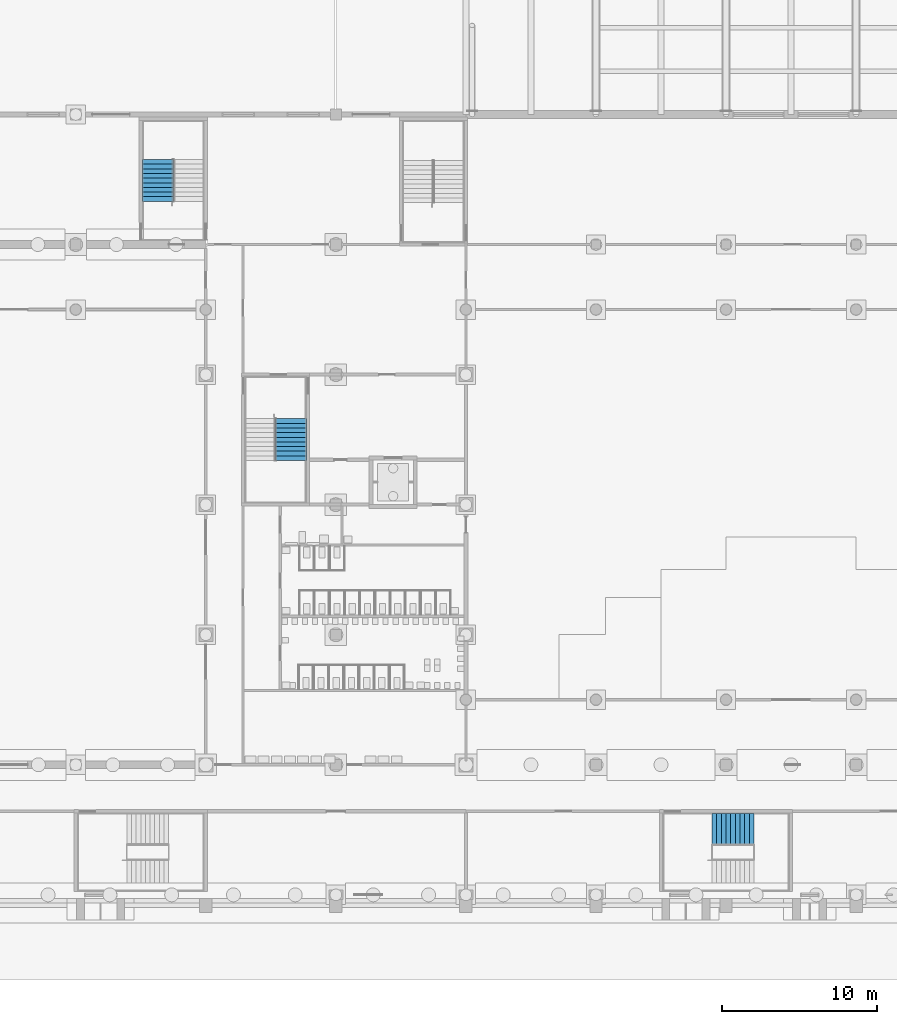
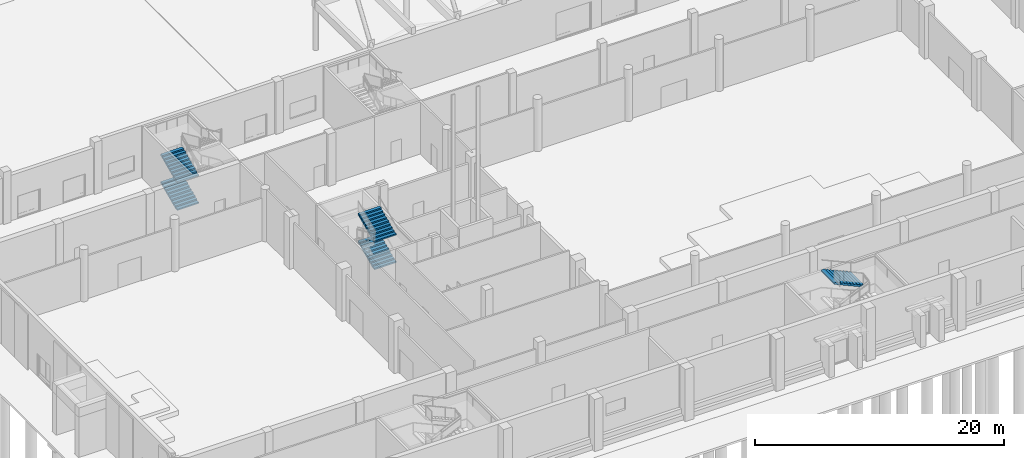
# One storey, part 51 of 74: 5 stair flights, 3 elements without a shape of their own.
"""IFC4 building model written with IfcOpenShell, lengths in metres."""

from ifc_helpers import new_model, si_unit, direction, frame, origin, place, context, subcontext, project, spatial, faceted_brep, material, type_object, element, aggregate, save


model = new_model("IFC4")

# Units and contexts
model_context = context("Model", 3, precision=1e-05, world=origin(), true_north=direction((0.0, 1.0)))
body_context = subcontext(model_context, "Body", "Model", "MODEL_VIEW")
ifc_project = project(units=[si_unit("LENGTHUNIT", "METRE"), si_unit("AREAUNIT", "SQUARE_METRE"), si_unit("VOLUMEUNIT", "CUBIC_METRE"), si_unit("PLANEANGLEUNIT", "RADIAN"), si_unit("MASSUNIT", "GRAM", prefix="KILO")], contexts=[model_context])

# Site, building, storey
site_placement = place(None, origin())
site = spatial("IfcSite", under=ifc_project, at=site_placement, CompositionType="ELEMENT")
building_placement = place(site_placement, origin())
building = spatial("IfcBuilding", under=site, at=building_placement, Name="Rulbaag Community and Learning Centre", CompositionType="ELEMENT")
storey_placement = place(building_placement, origin())
storey = spatial("IfcBuildingStorey", under=building, at=storey_placement, Name="L00", CompositionType="ELEMENT", Elevation=0.0)

# Stair, stair flights
ifc_material = material(Name="Concrete M40", Category="concrete")
stair_type_1 = type_object("IfcStairType", Name="ST-2000 STAIR 2000 WIDE", PredefinedType="HALF_TURN_STAIR", material=ifc_material)
stair_1_placement = place(storey_placement, origin())
stair_1 = element("IfcStair", 1, at=stair_1_placement, inside=storey, type_object=stair_type_1, Name="Stair ST-H0 L00", PredefinedType="HALF_TURN_STAIR")
stair_flight_type_1 = type_object("IfcStairFlightType", Name="FL-2000 FLIGHT 2000 WIDE Concrete M40", PredefinedType="STRAIGHT", material=ifc_material)
stair_flight_1_placement = place(storey_placement, frame((22.10009765625, 44.78759765625, 0.0), z_axis=(0.0, 0.0, 1.0), x_axis=(0.0, 1.0, 0.0)))
stair_flight_1 = element("IfcStairFlight", 2, at=stair_flight_1_placement, type_object=stair_flight_type_1, Name="ST-H0 flight 1", NumberOfRisers=10, NumberOfTreads=9, PredefinedType="STRAIGHT", RiserHeight=0.135, TreadLength=0.3, context=body_context, shape_type="Brep", body=[
    faceted_brep([(0.3408203125, -1.0, 0.0), (2.699951171875, -1.0, 1.0615234375), (2.699951171875, -1.0, 1.215087890625), (2.39990234375, -1.0, 1.215087890625), (2.39990234375, -1.0, 1.080078125), (2.10009765625, -1.0, 1.080078125), (2.10009765625, -1.0, 0.945068359375), (1.800048828125, -1.0, 0.945068359375), (1.800048828125, -1.0, 0.81005859375), (1.5, -1.0, 0.81005859375), (1.5, -1.0, 0.675048828125), (1.199951171875, -1.0, 0.675048828125), (1.199951171875, -1.0, 0.5400390625), (0.89990234375, -1.0, 0.5400390625), (0.89990234375, -1.0, 0.405029296875), (0.60009765625, -1.0, 0.405029296875), (0.60009765625, -1.0, 0.27001953125), (0.300048828125, -1.0, 0.27001953125), (0.300048828125, -1.0, 0.135009765625), (0.0, -1.0, 0.135009765625), (0.0, -1.0, 0.0), (0.0, 1.0, 0.0), (0.0, 1.0, 0.135009765625), (0.300048828125, 1.0, 0.135009765625), (0.300048828125, 1.0, 0.27001953125), (0.60009765625, 1.0, 0.27001953125), (0.60009765625, 1.0, 0.405029296875), (0.89990234375, 1.0, 0.405029296875), (0.89990234375, 1.0, 0.5400390625), (1.199951171875, 1.0, 0.5400390625), (1.199951171875, 1.0, 0.675048828125), (1.5, 1.0, 0.675048828125), (1.5, 1.0, 0.81005859375), (1.800048828125, 1.0, 0.81005859375), (1.800048828125, 1.0, 0.945068359375), (2.10009765625, 1.0, 0.945068359375), (2.10009765625, 1.0, 1.080078125), (2.39990234375, 1.0, 1.080078125), (2.39990234375, 1.0, 1.215087890625), (2.699951171875, 1.0, 1.215087890625), (2.699951171875, 1.0, 1.0615234375), (0.3408203125, 1.0, 0.0), (0.0, -0.333251953125, 0.135009765625), (0.0, -0.333251953125, 0.0), (0.0, 0.333251953125, 0.135009765625), (0.0, 0.333251953125, 0.0), (0.300048828125, -0.333251953125, 0.135009765625), (0.300048828125, 0.333251953125, 0.135009765625), (0.300048828125, -0.333251953125, 0.27001953125), (0.300048828125, 0.333251953125, 0.27001953125), (0.60009765625, -0.333251953125, 0.27001953125), (0.60009765625, 0.333251953125, 0.27001953125), (0.60009765625, -0.333251953125, 0.405029296875), (0.60009765625, 0.333251953125, 0.405029296875), (0.89990234375, -0.333251953125, 0.405029296875), (0.89990234375, 0.333251953125, 0.405029296875), (0.89990234375, -0.333251953125, 0.5400390625), (0.89990234375, 0.333251953125, 0.5400390625), (1.199951171875, -0.333251953125, 0.5400390625), (1.199951171875, 0.333251953125, 0.5400390625), (1.199951171875, -0.333251953125, 0.675048828125), (1.199951171875, 0.333251953125, 0.675048828125), (1.5, -0.333251953125, 0.675048828125), (1.5, 0.333251953125, 0.675048828125), (1.5, -0.333251953125, 0.81005859375), (1.5, 0.333251953125, 0.81005859375), (1.800048828125, -0.333251953125, 0.81005859375), (1.800048828125, 0.333251953125, 0.81005859375), (1.800048828125, -0.333251953125, 0.945068359375), (1.800048828125, 0.333251953125, 0.945068359375), (2.10009765625, -0.333251953125, 0.945068359375), (2.10009765625, 0.333251953125, 0.945068359375), (2.10009765625, -0.333251953125, 1.080078125), (2.10009765625, 0.333251953125, 1.080078125), (2.39990234375, -0.333251953125, 1.080078125), (2.39990234375, 0.333251953125, 1.080078125), (2.39990234375, -0.333251953125, 1.215087890625), (2.39990234375, 0.333251953125, 1.215087890625), (2.699951171875, -0.333251953125, 1.215087890625), (2.699951171875, 0.333251953125, 1.215087890625), (2.699951171875, -0.333251953125, 1.0615234375), (2.699951171875, 0.333251953125, 1.0615234375), (0.3408203125, -0.333251953125, 0.0), (0.3408203125, 0.333251953125, 0.0)], [[[0, 1, 2, 3, 4, 5, 6, 7, 8, 9, 10, 11, 12, 13, 14, 15, 16, 17, 18, 19, 20]], [[21, 22, 23, 24, 25, 26, 27, 28, 29, 30, 31, 32, 33, 34, 35, 36, 37, 38, 39, 40, 41]], [[20, 19, 42, 43]], [[43, 42, 44, 45]], [[45, 44, 22, 21]], [[19, 18, 46, 42]], [[42, 46, 47, 44]], [[44, 47, 23, 22]], [[18, 17, 48, 46]], [[46, 48, 49, 47]], [[47, 49, 24, 23]], [[17, 16, 50, 48]], [[48, 50, 51, 49]], [[49, 51, 25, 24]], [[16, 15, 52, 50]], [[50, 52, 53, 51]], [[51, 53, 26, 25]], [[15, 14, 54, 52]], [[52, 54, 55, 53]], [[53, 55, 27, 26]], [[14, 13, 56, 54]], [[54, 56, 57, 55]], [[55, 57, 28, 27]], [[13, 12, 58, 56]], [[56, 58, 59, 57]], [[57, 59, 29, 28]], [[12, 11, 60, 58]], [[58, 60, 61, 59]], [[59, 61, 30, 29]], [[11, 10, 62, 60]], [[60, 62, 63, 61]], [[61, 63, 31, 30]], [[10, 9, 64, 62]], [[62, 64, 65, 63]], [[63, 65, 32, 31]], [[9, 8, 66, 64]], [[64, 66, 67, 65]], [[65, 67, 33, 32]], [[8, 7, 68, 66]], [[66, 68, 69, 67]], [[67, 69, 34, 33]], [[7, 6, 70, 68]], [[68, 70, 71, 69]], [[69, 71, 35, 34]], [[6, 5, 72, 70]], [[70, 72, 73, 71]], [[71, 73, 36, 35]], [[5, 4, 74, 72]], [[72, 74, 75, 73]], [[73, 75, 37, 36]], [[4, 3, 76, 74]], [[74, 76, 77, 75]], [[75, 77, 38, 37]], [[3, 2, 78, 76]], [[76, 78, 79, 77]], [[77, 79, 39, 38]], [[2, 1, 80, 78]], [[78, 80, 81, 79]], [[79, 81, 40, 39]], [[1, 0, 82, 80]], [[80, 82, 83, 81]], [[81, 83, 41, 40]], [[0, 20, 43, 82]], [[82, 43, 45, 83]], [[83, 45, 21, 41]]]),
])
stair_flight_2_placement = place(storey_placement, frame((22.10009765625, 44.78759765625, 2.699951171875), z_axis=(0.0, 0.0, 1.0), x_axis=(0.0, 1.0, 0.0)))
stair_flight_2 = element("IfcStairFlight", 3, at=stair_flight_2_placement, type_object=stair_flight_type_1, Name="ST-H0 flight 3", NumberOfRisers=10, NumberOfTreads=9, PredefinedType="STRAIGHT", RiserHeight=0.135, TreadLength=0.3, context=body_context, shape_type="Brep", body=[
    faceted_brep([(0.3408203125, -1.0, 0.0), (2.699951171875, -1.0, 1.0615234375), (2.699951171875, -1.0, 1.215087890625), (2.39990234375, -1.0, 1.215087890625), (2.39990234375, -1.0, 1.080078125), (2.10009765625, -1.0, 1.080078125), (2.10009765625, -1.0, 0.945068359375), (1.800048828125, -1.0, 0.945068359375), (1.800048828125, -1.0, 0.81005859375), (1.5, -1.0, 0.81005859375), (1.5, -1.0, 0.675048828125), (1.199951171875, -1.0, 0.675048828125), (1.199951171875, -1.0, 0.5400390625), (0.89990234375, -1.0, 0.5400390625), (0.89990234375, -1.0, 0.405029296875), (0.60009765625, -1.0, 0.405029296875), (0.60009765625, -1.0, 0.27001953125), (0.300048828125, -1.0, 0.27001953125), (0.300048828125, -1.0, 0.135009765625), (0.0, -1.0, 0.135009765625), (0.0, -1.0, 0.0), (0.0, 1.0, 0.0), (0.0, 1.0, 0.135009765625), (0.300048828125, 1.0, 0.135009765625), (0.300048828125, 1.0, 0.27001953125), (0.60009765625, 1.0, 0.27001953125), (0.60009765625, 1.0, 0.405029296875), (0.89990234375, 1.0, 0.405029296875), (0.89990234375, 1.0, 0.5400390625), (1.199951171875, 1.0, 0.5400390625), (1.199951171875, 1.0, 0.675048828125), (1.5, 1.0, 0.675048828125), (1.5, 1.0, 0.81005859375), (1.800048828125, 1.0, 0.81005859375), (1.800048828125, 1.0, 0.945068359375), (2.10009765625, 1.0, 0.945068359375), (2.10009765625, 1.0, 1.080078125), (2.39990234375, 1.0, 1.080078125), (2.39990234375, 1.0, 1.215087890625), (2.699951171875, 1.0, 1.215087890625), (2.699951171875, 1.0, 1.0615234375), (0.3408203125, 1.0, 0.0), (0.0, -0.333251953125, 0.135009765625), (0.0, -0.333251953125, 0.0), (0.0, 0.333251953125, 0.135009765625), (0.0, 0.333251953125, 0.0), (0.300048828125, -0.333251953125, 0.135009765625), (0.300048828125, 0.333251953125, 0.135009765625), (0.300048828125, -0.333251953125, 0.27001953125), (0.300048828125, 0.333251953125, 0.27001953125), (0.60009765625, -0.333251953125, 0.27001953125), (0.60009765625, 0.333251953125, 0.27001953125), (0.60009765625, -0.333251953125, 0.405029296875), (0.60009765625, 0.333251953125, 0.405029296875), (0.89990234375, -0.333251953125, 0.405029296875), (0.89990234375, 0.333251953125, 0.405029296875), (0.89990234375, -0.333251953125, 0.5400390625), (0.89990234375, 0.333251953125, 0.5400390625), (1.199951171875, -0.333251953125, 0.5400390625), (1.199951171875, 0.333251953125, 0.5400390625), (1.199951171875, -0.333251953125, 0.675048828125), (1.199951171875, 0.333251953125, 0.675048828125), (1.5, -0.333251953125, 0.675048828125), (1.5, 0.333251953125, 0.675048828125), (1.5, -0.333251953125, 0.81005859375), (1.5, 0.333251953125, 0.81005859375), (1.800048828125, -0.333251953125, 0.81005859375), (1.800048828125, 0.333251953125, 0.81005859375), (1.800048828125, -0.333251953125, 0.945068359375), (1.800048828125, 0.333251953125, 0.945068359375), (2.10009765625, -0.333251953125, 0.945068359375), (2.10009765625, 0.333251953125, 0.945068359375), (2.10009765625, -0.333251953125, 1.080078125), (2.10009765625, 0.333251953125, 1.080078125), (2.39990234375, -0.333251953125, 1.080078125), (2.39990234375, 0.333251953125, 1.080078125), (2.39990234375, -0.333251953125, 1.215087890625), (2.39990234375, 0.333251953125, 1.215087890625), (2.699951171875, -0.333251953125, 1.215087890625), (2.699951171875, 0.333251953125, 1.215087890625), (2.699951171875, -0.333251953125, 1.0615234375), (2.699951171875, 0.333251953125, 1.0615234375), (0.3408203125, -0.333251953125, 0.0), (0.3408203125, 0.333251953125, 0.0)], [[[0, 1, 2, 3, 4, 5, 6, 7, 8, 9, 10, 11, 12, 13, 14, 15, 16, 17, 18, 19, 20]], [[21, 22, 23, 24, 25, 26, 27, 28, 29, 30, 31, 32, 33, 34, 35, 36, 37, 38, 39, 40, 41]], [[20, 19, 42, 43]], [[43, 42, 44, 45]], [[45, 44, 22, 21]], [[19, 18, 46, 42]], [[42, 46, 47, 44]], [[44, 47, 23, 22]], [[18, 17, 48, 46]], [[46, 48, 49, 47]], [[47, 49, 24, 23]], [[17, 16, 50, 48]], [[48, 50, 51, 49]], [[49, 51, 25, 24]], [[16, 15, 52, 50]], [[50, 52, 53, 51]], [[51, 53, 26, 25]], [[15, 14, 54, 52]], [[52, 54, 55, 53]], [[53, 55, 27, 26]], [[14, 13, 56, 54]], [[54, 56, 57, 55]], [[55, 57, 28, 27]], [[13, 12, 58, 56]], [[56, 58, 59, 57]], [[57, 59, 29, 28]], [[12, 11, 60, 58]], [[58, 60, 61, 59]], [[59, 61, 30, 29]], [[11, 10, 62, 60]], [[60, 62, 63, 61]], [[61, 63, 31, 30]], [[10, 9, 64, 62]], [[62, 64, 65, 63]], [[63, 65, 32, 31]], [[9, 8, 66, 64]], [[64, 66, 67, 65]], [[65, 67, 33, 32]], [[8, 7, 68, 66]], [[66, 68, 69, 67]], [[67, 69, 34, 33]], [[7, 6, 70, 68]], [[68, 70, 71, 69]], [[69, 71, 35, 34]], [[6, 5, 72, 70]], [[70, 72, 73, 71]], [[71, 73, 36, 35]], [[5, 4, 74, 72]], [[72, 74, 75, 73]], [[73, 75, 37, 36]], [[4, 3, 76, 74]], [[74, 76, 77, 75]], [[75, 77, 38, 37]], [[3, 2, 78, 76]], [[76, 78, 79, 77]], [[77, 79, 39, 38]], [[2, 1, 80, 78]], [[78, 80, 81, 79]], [[79, 81, 40, 39]], [[1, 0, 82, 80]], [[80, 82, 83, 81]], [[81, 83, 41, 40]], [[0, 20, 43, 82]], [[82, 43, 45, 83]], [[83, 45, 21, 41]]]),
])
aggregate(stair_1, [stair_flight_1, stair_flight_2])

stair_2_placement = place(storey_placement, origin())
stair_2 = element("IfcStair", 4, at=stair_2_placement, inside=storey, type_object=stair_type_1, Name="Stair ST-H1 L00", PredefinedType="HALF_TURN_STAIR")
stair_flight_3_placement = place(storey_placement, frame((30.699951171875, 28.050048828125, 1.35009765625), z_axis=(0.0, 0.0, 1.0), x_axis=(0.0, 1.0, 0.0)))
stair_flight_3 = element("IfcStairFlight", 5, at=stair_flight_3_placement, type_object=stair_flight_type_1, Name="ST-H1 flight 2", NumberOfRisers=10, NumberOfTreads=9, PredefinedType="STRAIGHT", RiserHeight=0.135, TreadLength=0.3, context=body_context, shape_type="Brep", body=[
    faceted_brep([(0.3408203125, -1.0, 0.0), (2.699951171875, -1.0, 1.0615234375), (2.699951171875, -1.0, 1.215087890625), (2.39990234375, -1.0, 1.215087890625), (2.39990234375, -1.0, 1.080078125), (2.10009765625, -1.0, 1.080078125), (2.10009765625, -1.0, 0.945068359375), (1.800048828125, -1.0, 0.945068359375), (1.800048828125, -1.0, 0.81005859375), (1.5, -1.0, 0.81005859375), (1.5, -1.0, 0.675048828125), (1.199951171875, -1.0, 0.675048828125), (1.199951171875, -1.0, 0.5400390625), (0.89990234375, -1.0, 0.5400390625), (0.89990234375, -1.0, 0.405029296875), (0.60009765625, -1.0, 0.405029296875), (0.60009765625, -1.0, 0.27001953125), (0.300048828125, -1.0, 0.27001953125), (0.300048828125, -1.0, 0.135009765625), (0.0, -1.0, 0.135009765625), (0.0, -1.0, 0.0), (0.0, 1.0, 0.0), (0.0, 1.0, 0.135009765625), (0.300048828125, 1.0, 0.135009765625), (0.300048828125, 1.0, 0.27001953125), (0.60009765625, 1.0, 0.27001953125), (0.60009765625, 1.0, 0.405029296875), (0.89990234375, 1.0, 0.405029296875), (0.89990234375, 1.0, 0.5400390625), (1.199951171875, 1.0, 0.5400390625), (1.199951171875, 1.0, 0.675048828125), (1.5, 1.0, 0.675048828125), (1.5, 1.0, 0.81005859375), (1.800048828125, 1.0, 0.81005859375), (1.800048828125, 1.0, 0.945068359375), (2.10009765625, 1.0, 0.945068359375), (2.10009765625, 1.0, 1.080078125), (2.39990234375, 1.0, 1.080078125), (2.39990234375, 1.0, 1.215087890625), (2.699951171875, 1.0, 1.215087890625), (2.699951171875, 1.0, 1.0615234375), (0.3408203125, 1.0, 0.0), (0.0, -0.333251953125, 0.135009765625), (0.0, -0.333251953125, 0.0), (0.0, 0.333251953125, 0.135009765625), (0.0, 0.333251953125, 0.0), (0.300048828125, -0.333251953125, 0.135009765625), (0.300048828125, 0.333251953125, 0.135009765625), (0.300048828125, -0.333251953125, 0.27001953125), (0.300048828125, 0.333251953125, 0.27001953125), (0.60009765625, -0.333251953125, 0.27001953125), (0.60009765625, 0.333251953125, 0.27001953125), (0.60009765625, -0.333251953125, 0.405029296875), (0.60009765625, 0.333251953125, 0.405029296875), (0.89990234375, -0.333251953125, 0.405029296875), (0.89990234375, 0.333251953125, 0.405029296875), (0.89990234375, -0.333251953125, 0.5400390625), (0.89990234375, 0.333251953125, 0.5400390625), (1.199951171875, -0.333251953125, 0.5400390625), (1.199951171875, 0.333251953125, 0.5400390625), (1.199951171875, -0.333251953125, 0.675048828125), (1.199951171875, 0.333251953125, 0.675048828125), (1.5, -0.333251953125, 0.675048828125), (1.5, 0.333251953125, 0.675048828125), (1.5, -0.333251953125, 0.81005859375), (1.5, 0.333251953125, 0.81005859375), (1.800048828125, -0.333251953125, 0.81005859375), (1.800048828125, 0.333251953125, 0.81005859375), (1.800048828125, -0.333251953125, 0.945068359375), (1.800048828125, 0.333251953125, 0.945068359375), (2.10009765625, -0.333251953125, 0.945068359375), (2.10009765625, 0.333251953125, 0.945068359375), (2.10009765625, -0.333251953125, 1.080078125), (2.10009765625, 0.333251953125, 1.080078125), (2.39990234375, -0.333251953125, 1.080078125), (2.39990234375, 0.333251953125, 1.080078125), (2.39990234375, -0.333251953125, 1.215087890625), (2.39990234375, 0.333251953125, 1.215087890625), (2.699951171875, -0.333251953125, 1.215087890625), (2.699951171875, 0.333251953125, 1.215087890625), (2.699951171875, -0.333251953125, 1.0615234375), (2.699951171875, 0.333251953125, 1.0615234375), (0.3408203125, -0.333251953125, 0.0), (0.3408203125, 0.333251953125, 0.0)], [[[0, 1, 2, 3, 4, 5, 6, 7, 8, 9, 10, 11, 12, 13, 14, 15, 16, 17, 18, 19, 20]], [[21, 22, 23, 24, 25, 26, 27, 28, 29, 30, 31, 32, 33, 34, 35, 36, 37, 38, 39, 40, 41]], [[20, 19, 42, 43]], [[43, 42, 44, 45]], [[45, 44, 22, 21]], [[19, 18, 46, 42]], [[42, 46, 47, 44]], [[44, 47, 23, 22]], [[18, 17, 48, 46]], [[46, 48, 49, 47]], [[47, 49, 24, 23]], [[17, 16, 50, 48]], [[48, 50, 51, 49]], [[49, 51, 25, 24]], [[16, 15, 52, 50]], [[50, 52, 53, 51]], [[51, 53, 26, 25]], [[15, 14, 54, 52]], [[52, 54, 55, 53]], [[53, 55, 27, 26]], [[14, 13, 56, 54]], [[54, 56, 57, 55]], [[55, 57, 28, 27]], [[13, 12, 58, 56]], [[56, 58, 59, 57]], [[57, 59, 29, 28]], [[12, 11, 60, 58]], [[58, 60, 61, 59]], [[59, 61, 30, 29]], [[11, 10, 62, 60]], [[60, 62, 63, 61]], [[61, 63, 31, 30]], [[10, 9, 64, 62]], [[62, 64, 65, 63]], [[63, 65, 32, 31]], [[9, 8, 66, 64]], [[64, 66, 67, 65]], [[65, 67, 33, 32]], [[8, 7, 68, 66]], [[66, 68, 69, 67]], [[67, 69, 34, 33]], [[7, 6, 70, 68]], [[68, 70, 71, 69]], [[69, 71, 35, 34]], [[6, 5, 72, 70]], [[70, 72, 73, 71]], [[71, 73, 36, 35]], [[5, 4, 74, 72]], [[72, 74, 75, 73]], [[73, 75, 37, 36]], [[4, 3, 76, 74]], [[74, 76, 77, 75]], [[75, 77, 38, 37]], [[3, 2, 78, 76]], [[76, 78, 79, 77]], [[77, 79, 39, 38]], [[2, 1, 80, 78]], [[78, 80, 81, 79]], [[79, 81, 40, 39]], [[1, 0, 82, 80]], [[80, 82, 83, 81]], [[81, 83, 41, 40]], [[0, 20, 43, 82]], [[82, 43, 45, 83]], [[83, 45, 21, 41]]]),
])
stair_flight_4_placement = place(storey_placement, frame((30.699951171875, 28.050048828125, 4.050048828125), z_axis=(0.0, 0.0, 1.0), x_axis=(0.0, 1.0, 0.0)))
stair_flight_4 = element("IfcStairFlight", 6, at=stair_flight_4_placement, type_object=stair_flight_type_1, Name="ST-H1 flight 4", NumberOfRisers=10, NumberOfTreads=9, PredefinedType="STRAIGHT", RiserHeight=0.135, TreadLength=0.3, context=body_context, shape_type="Brep", body=[
    faceted_brep([(0.3408203125, -1.0, 0.0), (2.699951171875, -1.0, 1.0615234375), (2.699951171875, -1.0, 1.215087890625), (2.39990234375, -1.0, 1.215087890625), (2.39990234375, -1.0, 1.080078125), (2.10009765625, -1.0, 1.080078125), (2.10009765625, -1.0, 0.945068359375), (1.800048828125, -1.0, 0.945068359375), (1.800048828125, -1.0, 0.81005859375), (1.5, -1.0, 0.81005859375), (1.5, -1.0, 0.675048828125), (1.199951171875, -1.0, 0.675048828125), (1.199951171875, -1.0, 0.5400390625), (0.89990234375, -1.0, 0.5400390625), (0.89990234375, -1.0, 0.405029296875), (0.60009765625, -1.0, 0.405029296875), (0.60009765625, -1.0, 0.27001953125), (0.300048828125, -1.0, 0.27001953125), (0.300048828125, -1.0, 0.135009765625), (0.0, -1.0, 0.135009765625), (0.0, -1.0, 0.0), (0.0, 1.0, 0.0), (0.0, 1.0, 0.135009765625), (0.300048828125, 1.0, 0.135009765625), (0.300048828125, 1.0, 0.27001953125), (0.60009765625, 1.0, 0.27001953125), (0.60009765625, 1.0, 0.405029296875), (0.89990234375, 1.0, 0.405029296875), (0.89990234375, 1.0, 0.5400390625), (1.199951171875, 1.0, 0.5400390625), (1.199951171875, 1.0, 0.675048828125), (1.5, 1.0, 0.675048828125), (1.5, 1.0, 0.81005859375), (1.800048828125, 1.0, 0.81005859375), (1.800048828125, 1.0, 0.945068359375), (2.10009765625, 1.0, 0.945068359375), (2.10009765625, 1.0, 1.080078125), (2.39990234375, 1.0, 1.080078125), (2.39990234375, 1.0, 1.215087890625), (2.699951171875, 1.0, 1.215087890625), (2.699951171875, 1.0, 1.0615234375), (0.3408203125, 1.0, 0.0), (0.0, -0.333251953125, 0.135009765625), (0.0, -0.333251953125, 0.0), (0.0, 0.333251953125, 0.135009765625), (0.0, 0.333251953125, 0.0), (0.300048828125, -0.333251953125, 0.135009765625), (0.300048828125, 0.333251953125, 0.135009765625), (0.300048828125, -0.333251953125, 0.27001953125), (0.300048828125, 0.333251953125, 0.27001953125), (0.60009765625, -0.333251953125, 0.27001953125), (0.60009765625, 0.333251953125, 0.27001953125), (0.60009765625, -0.333251953125, 0.405029296875), (0.60009765625, 0.333251953125, 0.405029296875), (0.89990234375, -0.333251953125, 0.405029296875), (0.89990234375, 0.333251953125, 0.405029296875), (0.89990234375, -0.333251953125, 0.5400390625), (0.89990234375, 0.333251953125, 0.5400390625), (1.199951171875, -0.333251953125, 0.5400390625), (1.199951171875, 0.333251953125, 0.5400390625), (1.199951171875, -0.333251953125, 0.675048828125), (1.199951171875, 0.333251953125, 0.675048828125), (1.5, -0.333251953125, 0.675048828125), (1.5, 0.333251953125, 0.675048828125), (1.5, -0.333251953125, 0.81005859375), (1.5, 0.333251953125, 0.81005859375), (1.800048828125, -0.333251953125, 0.81005859375), (1.800048828125, 0.333251953125, 0.81005859375), (1.800048828125, -0.333251953125, 0.945068359375), (1.800048828125, 0.333251953125, 0.945068359375), (2.10009765625, -0.333251953125, 0.945068359375), (2.10009765625, 0.333251953125, 0.945068359375), (2.10009765625, -0.333251953125, 1.080078125), (2.10009765625, 0.333251953125, 1.080078125), (2.39990234375, -0.333251953125, 1.080078125), (2.39990234375, 0.333251953125, 1.080078125), (2.39990234375, -0.333251953125, 1.215087890625), (2.39990234375, 0.333251953125, 1.215087890625), (2.699951171875, -0.333251953125, 1.215087890625), (2.699951171875, 0.333251953125, 1.215087890625), (2.699951171875, -0.333251953125, 1.0615234375), (2.699951171875, 0.333251953125, 1.0615234375), (0.3408203125, -0.333251953125, 0.0), (0.3408203125, 0.333251953125, 0.0)], [[[0, 1, 2, 3, 4, 5, 6, 7, 8, 9, 10, 11, 12, 13, 14, 15, 16, 17, 18, 19, 20]], [[21, 22, 23, 24, 25, 26, 27, 28, 29, 30, 31, 32, 33, 34, 35, 36, 37, 38, 39, 40, 41]], [[20, 19, 42, 43]], [[43, 42, 44, 45]], [[45, 44, 22, 21]], [[19, 18, 46, 42]], [[42, 46, 47, 44]], [[44, 47, 23, 22]], [[18, 17, 48, 46]], [[46, 48, 49, 47]], [[47, 49, 24, 23]], [[17, 16, 50, 48]], [[48, 50, 51, 49]], [[49, 51, 25, 24]], [[16, 15, 52, 50]], [[50, 52, 53, 51]], [[51, 53, 26, 25]], [[15, 14, 54, 52]], [[52, 54, 55, 53]], [[53, 55, 27, 26]], [[14, 13, 56, 54]], [[54, 56, 57, 55]], [[55, 57, 28, 27]], [[13, 12, 58, 56]], [[56, 58, 59, 57]], [[57, 59, 29, 28]], [[12, 11, 60, 58]], [[58, 60, 61, 59]], [[59, 61, 30, 29]], [[11, 10, 62, 60]], [[60, 62, 63, 61]], [[61, 63, 31, 30]], [[10, 9, 64, 62]], [[62, 64, 65, 63]], [[63, 65, 32, 31]], [[9, 8, 66, 64]], [[64, 66, 67, 65]], [[65, 67, 33, 32]], [[8, 7, 68, 66]], [[66, 68, 69, 67]], [[67, 69, 34, 33]], [[7, 6, 70, 68]], [[68, 70, 71, 69]], [[69, 71, 35, 34]], [[6, 5, 72, 70]], [[70, 72, 73, 71]], [[71, 73, 36, 35]], [[5, 4, 74, 72]], [[72, 74, 75, 73]], [[73, 75, 37, 36]], [[4, 3, 76, 74]], [[74, 76, 77, 75]], [[75, 77, 38, 37]], [[3, 2, 78, 76]], [[76, 78, 79, 77]], [[77, 79, 39, 38]], [[2, 1, 80, 78]], [[78, 80, 81, 79]], [[79, 81, 40, 39]], [[1, 0, 82, 80]], [[80, 82, 83, 81]], [[81, 83, 41, 40]], [[0, 20, 43, 82]], [[82, 43, 45, 83]], [[83, 45, 21, 41]]]),
])
aggregate(stair_2, [stair_flight_3, stair_flight_4])

# Stair, stair flight
stair_type_2 = type_object("IfcStairType", Name="ST-2100 STAIR 2100 WIDE", PredefinedType="HALF_TURN_STAIR", material=ifc_material)
stair_3_placement = place(storey_placement, origin())
stair_3 = element("IfcStair", 7, at=stair_3_placement, inside=storey, type_object=stair_type_2, Name="Stair ST-H8 L00", PredefinedType="HALF_TURN_STAIR")
stair_flight_type_2 = type_object("IfcStairFlightType", Name="FL-2100 FLIGHT 2100 WIDE Concrete M40", PredefinedType="STRAIGHT", material=ifc_material)
stair_flight_5_placement = place(storey_placement, frame((60.60009765625, 4.25, 4.050048828125), z_axis=(0.0, 0.0, 1.0), x_axis=(-1.0, 0.0, 0.0)))
stair_flight_5 = element("IfcStairFlight", 8, at=stair_flight_5_placement, type_object=stair_flight_type_2, Name="ST-H8 flight 4", NumberOfRisers=10, NumberOfTreads=9, PredefinedType="STRAIGHT", RiserHeight=0.135, TreadLength=0.3, context=body_context, shape_type="Brep", body=[
    faceted_brep([(0.3408203125, -1.050048828125, 0.0), (2.699951171875, -1.050048828125, 1.0615234375), (2.699951171875, -1.050048828125, 1.215087890625), (2.39990234375, -1.050048828125, 1.215087890625), (2.39990234375, -1.050048828125, 1.080078125), (2.10009765625, -1.050048828125, 1.080078125), (2.10009765625, -1.050048828125, 0.945068359375), (1.800048828125, -1.050048828125, 0.945068359375), (1.800048828125, -1.050048828125, 0.81005859375), (1.5, -1.050048828125, 0.81005859375), (1.5, -1.050048828125, 0.675048828125), (1.199951171875, -1.050048828125, 0.675048828125), (1.199951171875, -1.050048828125, 0.5400390625), (0.89990234375, -1.050048828125, 0.5400390625), (0.89990234375, -1.050048828125, 0.405029296875), (0.60009765625, -1.050048828125, 0.405029296875), (0.60009765625, -1.050048828125, 0.27001953125), (0.300048828125, -1.050048828125, 0.27001953125), (0.300048828125, -1.050048828125, 0.135009765625), (0.0, -1.050048828125, 0.135009765625), (0.0, -1.050048828125, 0.0), (0.0, 1.050048828125, 0.0), (0.0, 1.050048828125, 0.135009765625), (0.300048828125, 1.050048828125, 0.135009765625), (0.300048828125, 1.050048828125, 0.27001953125), (0.60009765625, 1.050048828125, 0.27001953125), (0.60009765625, 1.050048828125, 0.405029296875), (0.89990234375, 1.050048828125, 0.405029296875), (0.89990234375, 1.050048828125, 0.5400390625), (1.199951171875, 1.050048828125, 0.5400390625), (1.199951171875, 1.050048828125, 0.675048828125), (1.5, 1.050048828125, 0.675048828125), (1.5, 1.050048828125, 0.81005859375), (1.800048828125, 1.050048828125, 0.81005859375), (1.800048828125, 1.050048828125, 0.945068359375), (2.10009765625, 1.050048828125, 0.945068359375), (2.10009765625, 1.050048828125, 1.080078125), (2.39990234375, 1.050048828125, 1.080078125), (2.39990234375, 1.050048828125, 1.215087890625), (2.699951171875, 1.050048828125, 1.215087890625), (2.699951171875, 1.050048828125, 1.0615234375), (0.3408203125, 1.050048828125, 0.0), (0.0, -0.52490234375, 0.135009765625), (0.0, -0.52490234375, 0.0), (0.0, 0.0, 0.135009765625), (0.0, 0.0, 0.0), (0.0, 0.52490234375, 0.135009765625), (0.0, 0.52490234375, 0.0), (0.300048828125, -0.52490234375, 0.135009765625), (0.300048828125, 0.0, 0.135009765625), (0.300048828125, 0.52490234375, 0.135009765625), (0.300048828125, -0.52490234375, 0.27001953125), (0.300048828125, 0.0, 0.27001953125), (0.300048828125, 0.52490234375, 0.27001953125), (0.60009765625, -0.52490234375, 0.27001953125), (0.60009765625, 0.0, 0.27001953125), (0.60009765625, 0.52490234375, 0.27001953125), (0.60009765625, -0.52490234375, 0.405029296875), (0.60009765625, 0.0, 0.405029296875), (0.60009765625, 0.52490234375, 0.405029296875), (0.89990234375, -0.52490234375, 0.405029296875), (0.89990234375, 0.0, 0.405029296875), (0.89990234375, 0.52490234375, 0.405029296875), (0.89990234375, -0.52490234375, 0.5400390625), (0.89990234375, 0.0, 0.5400390625), (0.89990234375, 0.52490234375, 0.5400390625), (1.199951171875, -0.52490234375, 0.5400390625), (1.199951171875, 0.0, 0.5400390625), (1.199951171875, 0.52490234375, 0.5400390625), (1.199951171875, -0.52490234375, 0.675048828125), (1.199951171875, 0.0, 0.675048828125), (1.199951171875, 0.52490234375, 0.675048828125), (1.5, -0.52490234375, 0.675048828125), (1.5, 0.0, 0.675048828125), (1.5, 0.52490234375, 0.675048828125), (1.5, -0.52490234375, 0.81005859375), (1.5, 0.0, 0.81005859375), (1.5, 0.52490234375, 0.81005859375), (1.800048828125, -0.52490234375, 0.81005859375), (1.800048828125, 0.0, 0.81005859375), (1.800048828125, 0.52490234375, 0.81005859375), (1.800048828125, -0.52490234375, 0.945068359375), (1.800048828125, 0.0, 0.945068359375), (1.800048828125, 0.52490234375, 0.945068359375), (2.10009765625, -0.52490234375, 0.945068359375), (2.10009765625, 0.0, 0.945068359375), (2.10009765625, 0.52490234375, 0.945068359375), (2.10009765625, -0.52490234375, 1.080078125), (2.10009765625, 0.0, 1.080078125), (2.10009765625, 0.52490234375, 1.080078125), (2.39990234375, -0.52490234375, 1.080078125), (2.39990234375, 0.0, 1.080078125), (2.39990234375, 0.52490234375, 1.080078125), (2.39990234375, -0.52490234375, 1.215087890625), (2.39990234375, 0.0, 1.215087890625), (2.39990234375, 0.52490234375, 1.215087890625), (2.699951171875, -0.52490234375, 1.215087890625), (2.699951171875, 0.0, 1.215087890625), (2.699951171875, 0.52490234375, 1.215087890625), (2.699951171875, -0.52490234375, 1.0615234375), (2.699951171875, 0.0, 1.0615234375), (2.699951171875, 0.52490234375, 1.0615234375), (0.3408203125, -0.52490234375, 0.0), (0.3408203125, 0.0, 0.0), (0.3408203125, 0.52490234375, 0.0)], [[[0, 1, 2, 3, 4, 5, 6, 7, 8, 9, 10, 11, 12, 13, 14, 15, 16, 17, 18, 19, 20]], [[21, 22, 23, 24, 25, 26, 27, 28, 29, 30, 31, 32, 33, 34, 35, 36, 37, 38, 39, 40, 41]], [[20, 19, 42, 43]], [[43, 42, 44, 45]], [[45, 44, 46, 47]], [[47, 46, 22, 21]], [[19, 18, 48, 42]], [[42, 48, 49, 44]], [[44, 49, 50, 46]], [[46, 50, 23, 22]], [[18, 17, 51, 48]], [[48, 51, 52, 49]], [[49, 52, 53, 50]], [[50, 53, 24, 23]], [[17, 16, 54, 51]], [[51, 54, 55, 52]], [[52, 55, 56, 53]], [[53, 56, 25, 24]], [[16, 15, 57, 54]], [[54, 57, 58, 55]], [[55, 58, 59, 56]], [[56, 59, 26, 25]], [[15, 14, 60, 57]], [[57, 60, 61, 58]], [[58, 61, 62, 59]], [[59, 62, 27, 26]], [[14, 13, 63, 60]], [[60, 63, 64, 61]], [[61, 64, 65, 62]], [[62, 65, 28, 27]], [[13, 12, 66, 63]], [[63, 66, 67, 64]], [[64, 67, 68, 65]], [[65, 68, 29, 28]], [[12, 11, 69, 66]], [[66, 69, 70, 67]], [[67, 70, 71, 68]], [[68, 71, 30, 29]], [[11, 10, 72, 69]], [[69, 72, 73, 70]], [[70, 73, 74, 71]], [[71, 74, 31, 30]], [[10, 9, 75, 72]], [[72, 75, 76, 73]], [[73, 76, 77, 74]], [[74, 77, 32, 31]], [[9, 8, 78, 75]], [[75, 78, 79, 76]], [[76, 79, 80, 77]], [[77, 80, 33, 32]], [[8, 7, 81, 78]], [[78, 81, 82, 79]], [[79, 82, 83, 80]], [[80, 83, 34, 33]], [[7, 6, 84, 81]], [[81, 84, 85, 82]], [[82, 85, 86, 83]], [[83, 86, 35, 34]], [[6, 5, 87, 84]], [[84, 87, 88, 85]], [[85, 88, 89, 86]], [[86, 89, 36, 35]], [[5, 4, 90, 87]], [[87, 90, 91, 88]], [[88, 91, 92, 89]], [[89, 92, 37, 36]], [[4, 3, 93, 90]], [[90, 93, 94, 91]], [[91, 94, 95, 92]], [[92, 95, 38, 37]], [[3, 2, 96, 93]], [[93, 96, 97, 94]], [[94, 97, 98, 95]], [[95, 98, 39, 38]], [[2, 1, 99, 96]], [[96, 99, 100, 97]], [[97, 100, 101, 98]], [[98, 101, 40, 39]], [[1, 0, 102, 99]], [[99, 102, 103, 100]], [[100, 103, 104, 101]], [[101, 104, 41, 40]], [[0, 20, 43, 102]], [[102, 43, 45, 103]], [[103, 45, 47, 104]], [[104, 47, 21, 41]]]),
])
aggregate(stair_3, [stair_flight_5])

save(model, "model.ifc")
